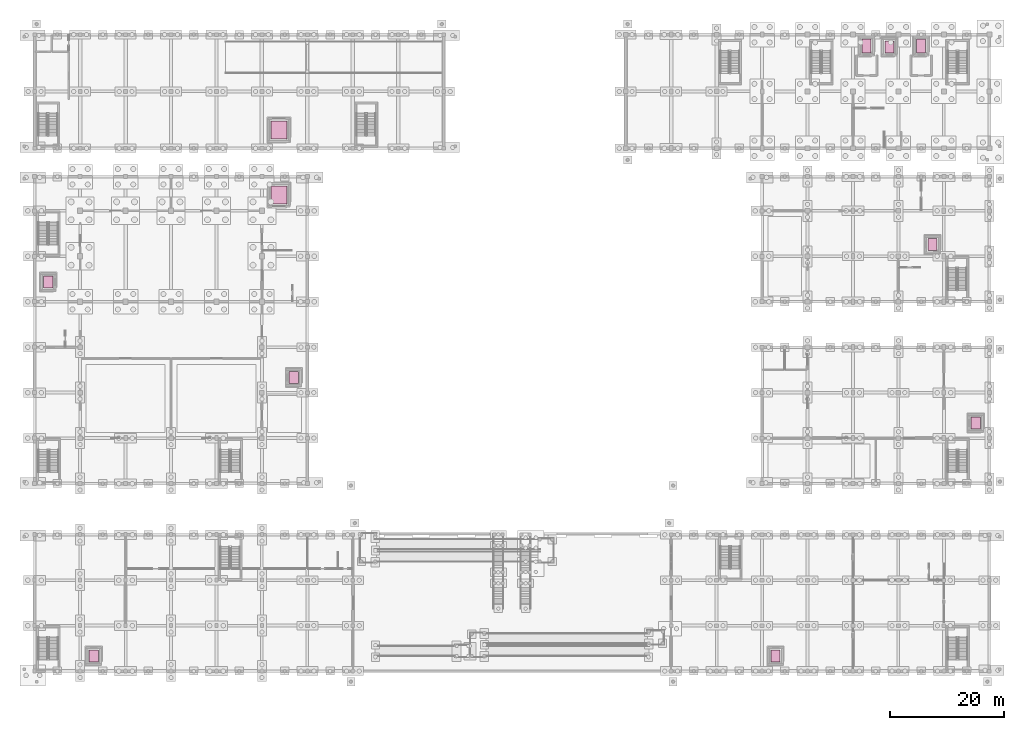
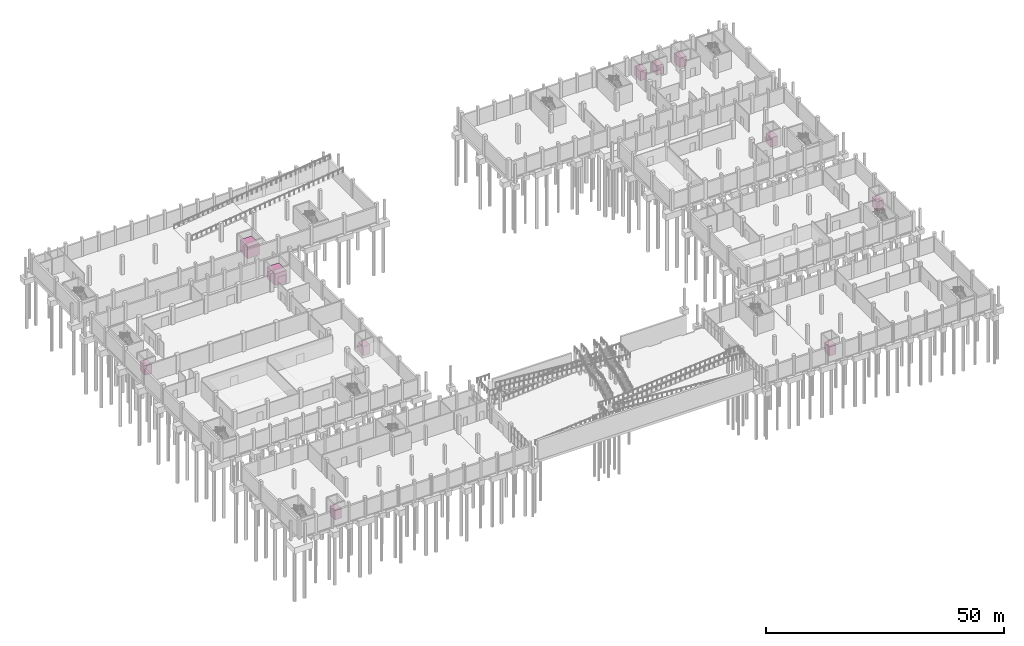
# One storey, part 52 of 52: 11 transport elements.
"""IFC4 building model written with IfcOpenShell, lengths in metres."""

from ifc_helpers import new_model, si_unit, direction, frame, origin, origin_2d, place, context, subcontext, project, spatial, rectangle, extrude, material, type_object, element, save


model = new_model("IFC4")

# Units and contexts
model_context = context("Model", 3, precision=1e-05, world=origin(), true_north=direction((0.0, 1.0)))
body_context = subcontext(model_context, "Body", "Model", "MODEL_VIEW")
ifc_project = project(units=[si_unit("LENGTHUNIT", "METRE"), si_unit("AREAUNIT", "SQUARE_METRE"), si_unit("VOLUMEUNIT", "CUBIC_METRE"), si_unit("PLANEANGLEUNIT", "RADIAN"), si_unit("MASSUNIT", "GRAM", prefix="KILO")], contexts=[model_context])

# Site, building, storey
site_placement = place(None, origin())
site = spatial("IfcSite", under=ifc_project, at=site_placement, CompositionType="ELEMENT")
building_placement = place(site_placement, origin())
building = spatial("IfcBuilding", under=site, at=building_placement, Name="Luwemba Playhouse", CompositionType="ELEMENT")
storey_placement = place(building_placement, frame((0.0, 0.0, -4.800048828125)))
storey = spatial("IfcBuildingStorey", under=building, at=storey_placement, Name="B1", CompositionType="ELEMENT", Elevation=-4.800048828125)

# Transport elements
ifc_material_1 = material(Name="Brushed stainless steel lift car", Category="steel")
transport_element_type_1 = type_object("IfcTransportElementType", Name="LFT-FF-160x240", PredefinedType="ELEVATOR", material=ifc_material_1)
for number, where, z_axis, x_axis, name in (
    (1, (150.39990234375, 113.0, 0.0), (0.0, 0.0, 1.0), (1.0, 0.0, 0.0), "Firefighting lift LF-FF1"),
    (2, (160.0, 113.0, 0.0), (0.0, 0.0, 1.0), (1.0, 0.0, 0.0), "Firefighting lift LF-FF2"),
):
    element("IfcTransportElement", number, at=place(storey_placement, frame(where, z_axis=z_axis, x_axis=x_axis)), inside=storey, type_object=transport_element_type_1, Name=name, PredefinedType="ELEVATOR", context=body_context, shape_type="SweptSolid", body=[
        extrude(rectangle(XDim=1.60009765625, YDim=2.39990234375, at=origin_2d()), origin(), (0.0, 0.0, 1.0), 2.39990234375),
    ])
ifc_material_2 = material(Name="Heavy-duty steel scenery freight lift car", Category="steel")
transport_element_type_2 = type_object("IfcTransportElementType", Name="LFT-GDS-280x320", PredefinedType="ELEVATOR", material=ifc_material_2)
for number, where, z_axis, x_axis, name in (
    (3, (47.0, 86.800048828125, 0.0), (0.0, 0.0, 1.0), (1.0, 0.0, 0.0), "Lift LF-G1"),
    (4, (47.0, 98.199951171875, 0.0), (0.0, 0.0, 1.0), (1.0, 0.0, 0.0), "Lift LF-G2"),
):
    element("IfcTransportElement", number, at=place(storey_placement, frame(where, z_axis=z_axis, x_axis=x_axis)), inside=storey, type_object=transport_element_type_2, Name=name, PredefinedType="ELEVATOR", context=body_context, shape_type="SweptSolid", body=[
        extrude(rectangle(XDim=2.800048828125, YDim=3.199951171875, at=origin_2d()), origin(), (0.0, 0.0, 1.0), 3.0),
    ])
ifc_material_3 = material(Name="Brushed stainless steel and bronze lift car", Category="steel")
transport_element_type_3 = type_object("IfcTransportElementType", Name="LFT-PAS-160x210", PredefinedType="ELEVATOR", material=ifc_material_3)
for number, where, z_axis, x_axis, name in (
    (5, (162.0, 78.050048828125, 0.0), (0.0, 0.0, 1.0), (1.0, 0.0, 0.0), "Lift LF-P7"),
    (6, (49.60009765625, 54.64990234375, 0.0), (0.0, 0.0, 1.0), (1.0, 0.0, 0.0), "Lift LF-P1"),
    (7, (6.39990234375, 71.449951171875, 0.0), (0.0, 0.0, 1.0), (1.0, 0.0, 0.0), "Lift LF-P2"),
    (8, (169.60009765625, 46.64990234375, 0.0), (0.0, 0.0, 1.0), (1.0, 0.0, 0.0), "Lift LF-P3"),
    (9, (14.39990234375, 5.64990234375, 0.0), (0.0, 0.0, 1.0), (1.0, 0.0, 0.0), "Lift LF-P4"),
    (10, (134.39990234375, 5.64990234375, 0.0), (0.0, 0.0, 1.0), (1.0, 0.0, 0.0), "Lift LF-P5"),
    (11, (154.39990234375, 112.85009765625, 0.0), (0.0, 0.0, 1.0), (1.0, 0.0, 0.0), "Lift LF-P6"),
):
    element("IfcTransportElement", number, at=place(storey_placement, frame(where, z_axis=z_axis, x_axis=x_axis)), inside=storey, type_object=transport_element_type_3, Name=name, PredefinedType="ELEVATOR", context=body_context, shape_type="SweptSolid", body=[
        extrude(rectangle(XDim=1.60009765625, YDim=2.10009765625, at=origin_2d()), origin(), (0.0, 0.0, 1.0), 2.39990234375),
    ])

save(model, "model.ifc")
